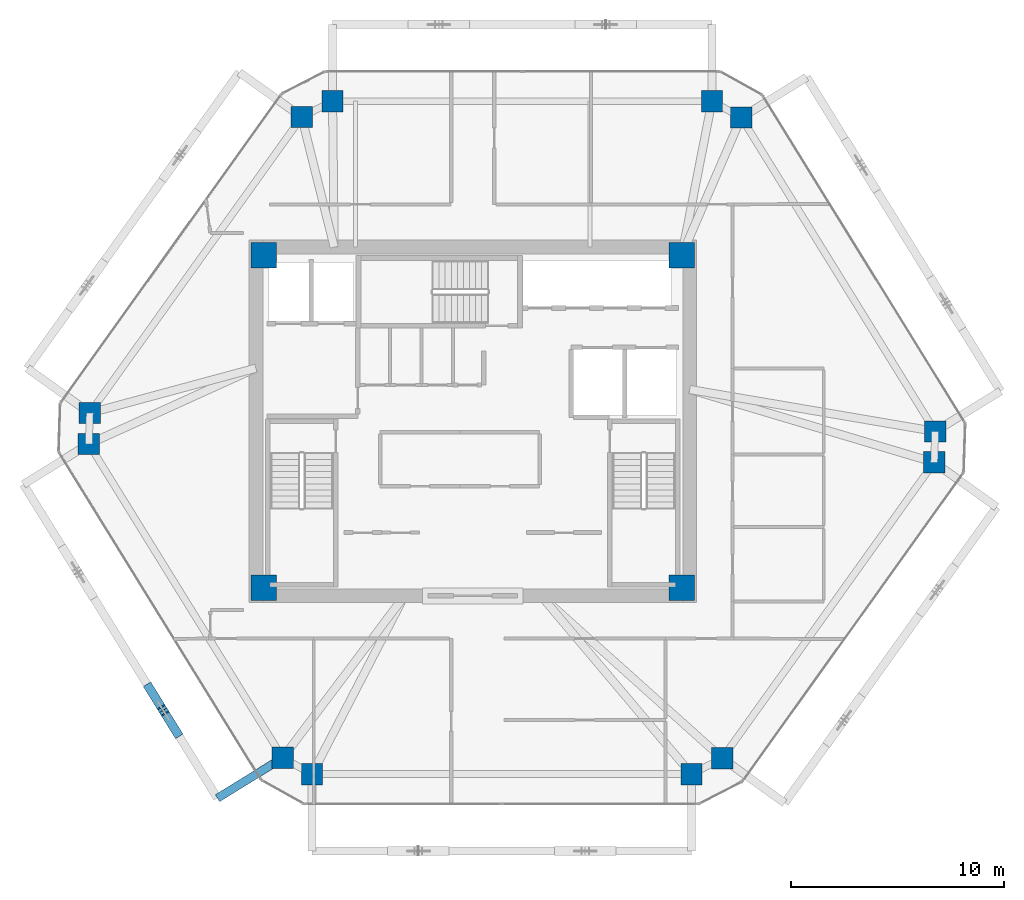
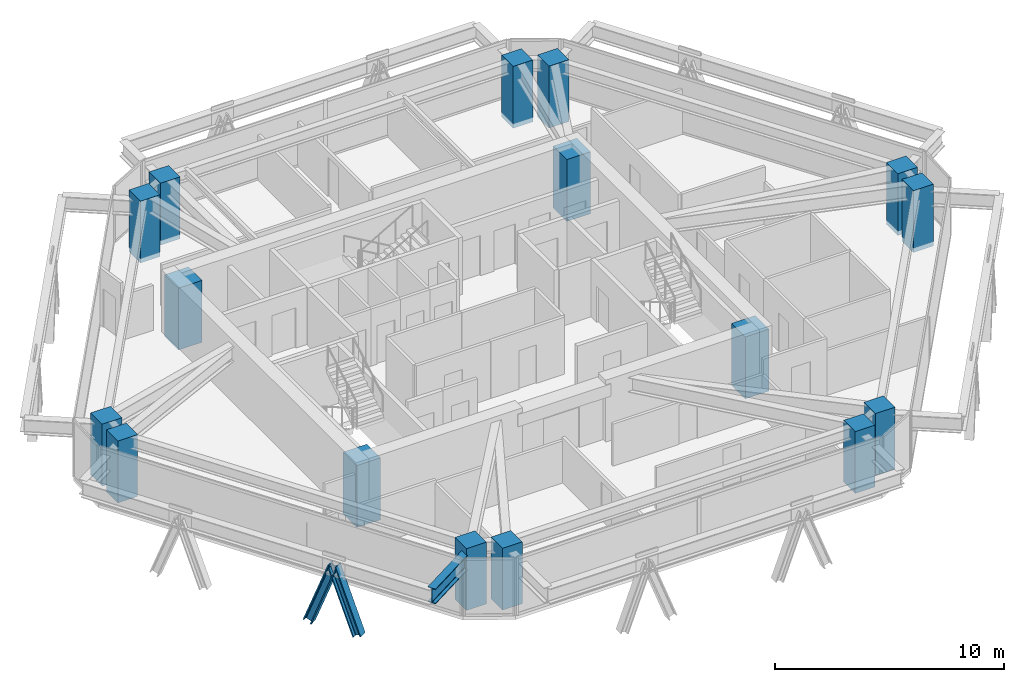
# One storey, part 1 of 14: 16 columns, 2 members, 1 beam.
"""IFC4 building model written with IfcOpenShell, lengths in metres."""

from ifc_helpers import new_model, si_unit, direction, frame, origin, origin_2d, place, context, subcontext, project, spatial, rectangle, i_section, extrude, source, transform, mapped, material, material_profile, profile_set, type_object, type_shapes, element, save


model = new_model("IFC4")

# Units and contexts
model_context = context("Model", 3, precision=1e-05, world=origin(), true_north=direction((0.0, 1.0)))
body_context = subcontext(model_context, "Body", "Model", "MODEL_VIEW")
ifc_project = project(units=[si_unit("LENGTHUNIT", "METRE"), si_unit("AREAUNIT", "SQUARE_METRE"), si_unit("VOLUMEUNIT", "CUBIC_METRE"), si_unit("PLANEANGLEUNIT", "RADIAN"), si_unit("MASSUNIT", "GRAM", prefix="KILO")], contexts=[model_context])

# Site, building, storey
site_placement = place(None, origin())
site = spatial("IfcSite", under=ifc_project, at=site_placement, CompositionType="ELEMENT")
building_placement = place(site_placement, origin())
building = spatial("IfcBuilding", under=site, at=building_placement, Name="Durnholm Broadcast Tower", CompositionType="ELEMENT")
storey_placement = place(building_placement, frame((0.0, 0.0, 193.60009765625)))
storey = spatial("IfcBuildingStorey", under=building, at=storey_placement, Name="L53", CompositionType="ELEMENT", Elevation=193.60009765625)

# Columns
ifc_material_1 = material(Name="Concrete C70/85", Category="concrete")
ifc_material_profile_1 = material_profile(ifc_material_1, rectangle(XDim=1.199951171875, YDim=1.199951171875, at=origin_2d()), Name="RC1200X1200")
ifc_profile_set_1 = profile_set([ifc_material_profile_1], Name="Concrete C70/85")
column_type_1 = type_object("IfcColumnType", Name="COL-CC-1200", PredefinedType="COLUMN", material=ifc_profile_set_1)
shared_shape_1 = source(origin(), body_context, "Body", "SweptSolid", [
    extrude(rectangle(XDim=1.199951171875, YDim=1.199951171875, at=origin_2d()), origin(), (0.0, 0.0, 1.0), 3.2998046875),
])
type_shapes(column_type_1, [shared_shape_1])
for number, where, z_axis, x_axis, name in (
    (1, (-9.800048828125, -7.800048828125, -0.239990234375), (0.0, 0.0, 1.0), (1.0, 0.0, 0.0), "L53 core corner column 1"),
    (2, (9.800048828125, -7.800048828125, -0.239990234375), (0.0, 0.0, 1.0), (1.0, 0.0, 0.0), "L53 core corner column 2"),
    (3, (9.800048828125, 7.800048828125, -0.239990234375), (0.0, 0.0, 1.0), (1.0, 0.0, 0.0), "L53 core corner column 3"),
    (4, (-9.800048828125, 7.800048828125, -0.239990234375), (0.0, 0.0, 1.0), (1.0, 0.0, 0.0), "L53 core corner column 4"),
):
    element("IfcColumn", number, at=place(storey_placement, frame(where, z_axis=z_axis, x_axis=x_axis)), inside=storey, type_object=column_type_1, Name=name, PredefinedType="COLUMN", context=body_context, shape_type="MappedRepresentation", body=[
        mapped(shared_shape_1, transform((0.0, 0.0, 0.0), x_axis=(1.0, 0.0, 0.0), y_axis=(0.0, 1.0, 0.0), z_axis=(0.0, 0.0, 1.0), scale=1.0)),
    ])
ifc_material_profile_2 = material_profile(ifc_material_1, rectangle(XDim=1.0, YDim=1.0, at=origin_2d()), Name="RC1000X1000")
ifc_profile_set_2 = profile_set([ifc_material_profile_2], Name="Concrete C70/85")
column_type_2 = type_object("IfcColumnType", Name="COL-CC-1000", PredefinedType="COLUMN", material=ifc_profile_set_2)
shared_shape_2 = source(origin(), body_context, "Body", "SweptSolid", [
    extrude(rectangle(XDim=1.0, YDim=1.0, at=origin_2d()), origin(), (0.0, 0.0, 1.0), 3.2998046875),
])
type_shapes(column_type_2, [shared_shape_2])
for number, where, z_axis, x_axis, name in (
    (5, (-8.91259765625, -15.7763671875, -0.239990234375), (0.0, 0.0, 1.0), (1.0, 0.0, 0.0), "L53 perimeter hexagonal tube column 01"),
    (6, (-18.009033203125, -1.056640625, -0.239990234375), (0.0, 0.0, 1.0), (1.0, 0.0, 0.0), "L53 perimeter hexagonal tube column 02"),
    (7, (-17.9599609375, 0.3955078125, -0.239990234375), (0.0, 0.0, 1.0), (1.0, 0.0, 0.0), "L53 perimeter hexagonal tube column 03"),
    (8, (-8.021728515625, 14.2763671875, -0.239990234375), (0.0, 0.0, 1.0), (1.0, 0.0, 0.0), "L53 perimeter hexagonal tube column 04"),
    (9, (-6.57861328125, 15.01806640625, -0.239990234375), (0.0, 0.0, 1.0), (1.0, 0.0, 0.0), "L53 perimeter hexagonal tube column 05"),
    (10, (11.217529296875, 15.01806640625, -0.239990234375), (0.0, 0.0, 1.0), (1.0, 0.0, 0.0), "L53 perimeter hexagonal tube column 06"),
    (11, (12.5908203125, 14.252197265625, -0.239990234375), (0.0, 0.0, 1.0), (1.0, 0.0, 0.0), "L53 perimeter hexagonal tube column 07"),
    (12, (21.68701171875, -0.46728515625, -0.239990234375), (0.0, 0.0, 1.0), (1.0, 0.0, 0.0), "L53 perimeter hexagonal tube column 08"),
    (13, (21.637939453125, -1.919677734375, -0.239990234375), (0.0, 0.0, 1.0), (1.0, 0.0, 0.0), "L53 perimeter hexagonal tube column 09"),
    (14, (11.69970703125, -15.80029296875, -0.239990234375), (0.0, 0.0, 1.0), (1.0, 0.0, 0.0), "L53 perimeter hexagonal tube column 10"),
    (15, (10.256591796875, -16.5419921875, -0.239990234375), (0.0, 0.0, 1.0), (1.0, 0.0, 0.0), "L53 perimeter hexagonal tube column 11"),
    (16, (-7.53955078125, -16.5419921875, -0.239990234375), (0.0, 0.0, 1.0), (1.0, 0.0, 0.0), "L53 perimeter hexagonal tube column 12"),
):
    element("IfcColumn", number, at=place(storey_placement, frame(where, z_axis=z_axis, x_axis=x_axis)), inside=storey, type_object=column_type_2, Name=name, PredefinedType="COLUMN", context=body_context, shape_type="MappedRepresentation", body=[
        mapped(shared_shape_2, transform((0.0, 0.0, 0.0), x_axis=(1.0, 0.0, 0.0), y_axis=(0.0, 1.0, 0.0), z_axis=(0.0, 0.0, 1.0), scale=1.0)),
    ])

# Beam
ifc_material_2 = material(Name="Steel ASTM A992 Grade 50", Category="steel")
ifc_material_profile_3 = material_profile(ifc_material_2, i_section(OverallWidth=0.385009765625, OverallDepth=0.802978515625, WebThickness=0.023681640625, FlangeThickness=0.0419921875, FilletRadius=0.032958984375, at=origin_2d()), Name="W30X261")
ifc_profile_set_3 = profile_set([ifc_material_profile_3], Name="Steel ASTM A992 Grade 50")
beam_type = type_object("IfcBeamType", Name="BM-EXO-TIE", PredefinedType="USERDEFINED", material=ifc_profile_set_3)
shared_shape_3 = source(origin(), body_context, "Body", "SweptSolid", [
    extrude(i_section(OverallWidth=0.385009765625, OverallDepth=0.802978515625, WebThickness=0.023681640625, FlangeThickness=0.0419921875, FilletRadius=0.032958984375, at=origin_2d()), origin(), (0.0, 0.0, 1.0), 3.4560546875),
])
type_shapes(beam_type, [shared_shape_3])
beam_placement = place(storey_placement, frame((-9.03515625, -15.85205078125, 2.308349609375), z_axis=(-0.850693939061, -0.525661318764, 0.0), x_axis=(0.525661318764, -0.850693939061, 0.0)))
element("IfcBeam", 17, at=beam_placement, inside=storey, type_object=beam_type, Name="L53 exoskeleton stand-off tie bracket F6.2", ObjectType="GIRDER", PredefinedType="USERDEFINED", context=body_context, shape_type="MappedRepresentation", body=[
    mapped(shared_shape_3, transform((0.0, 0.0, 0.0), x_axis=(1.0, 0.0, 0.0), y_axis=(0.0, 1.0, 0.0), z_axis=(0.0, 0.0, 1.0), scale=1.0)),
])

# Members
ifc_material_3 = material(Name="Steel ASTM A913 Grade 65", Category="steel")
ifc_material_profile_4 = material_profile(ifc_material_3, i_section(OverallWidth=0.412109375, OverallDepth=0.434814453125, WebThickness=0.035888671875, FlangeThickness=0.057373046875, FilletRadius=0.030517578125, at=origin_2d()), Name="W14X311")
ifc_profile_set_4 = profile_set([ifc_material_profile_4], Name="Steel ASTM A913 Grade 65")
member_type = type_object("IfcMemberType", Name="STL-DG-W14X311", PredefinedType="BRACE", material=ifc_profile_set_4)
shared_shape_4 = source(origin(), body_context, "Body", "SweptSolid", [
    extrude(i_section(OverallWidth=0.412109375, OverallDepth=0.434814453125, WebThickness=0.035888671875, FlangeThickness=0.057373046875, FilletRadius=0.030517578125, at=origin_2d()), origin(), (0.0, 0.0, 1.0), 3.52294921875),
])
type_shapes(member_type, [shared_shape_4])
for number, where, z_axis, x_axis, name in (
    (18, (-15.170654296875, -12.497802734375, -0.991455078125), (0.184064036868, -0.297925939192, 0.936675271953), (0.850732935913, 0.525598203719, 0.0), "L53 stand-off diagrid brace F6.D2.1"),
    (19, (-13.87353515625, -14.596923828125, -0.991455078125), (-0.18413098891, 0.297922138248, 0.936663321832), (-0.850644447398, -0.525741404219, 0.0), "L53 stand-off diagrid brace F6.D2.2"),
):
    element("IfcMember", number, at=place(storey_placement, frame(where, z_axis=z_axis, x_axis=x_axis)), inside=storey, type_object=member_type, Name=name, PredefinedType="BRACE", context=body_context, shape_type="MappedRepresentation", body=[
        mapped(shared_shape_4, transform((0.0, 0.0, 0.0), x_axis=(1.0, 0.0, 0.0), y_axis=(0.0, 1.0, 0.0), z_axis=(0.0, 0.0, 1.0), scale=1.0)),
    ])

save(model, "model.ifc")
